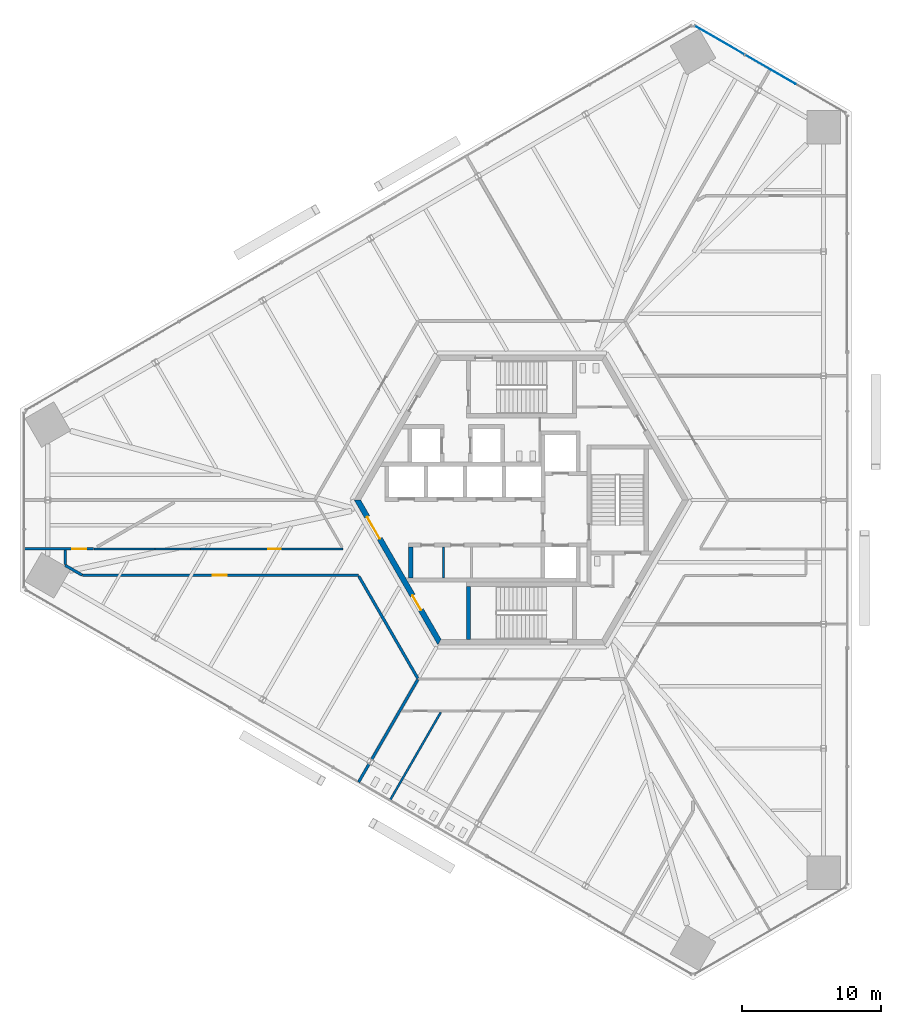
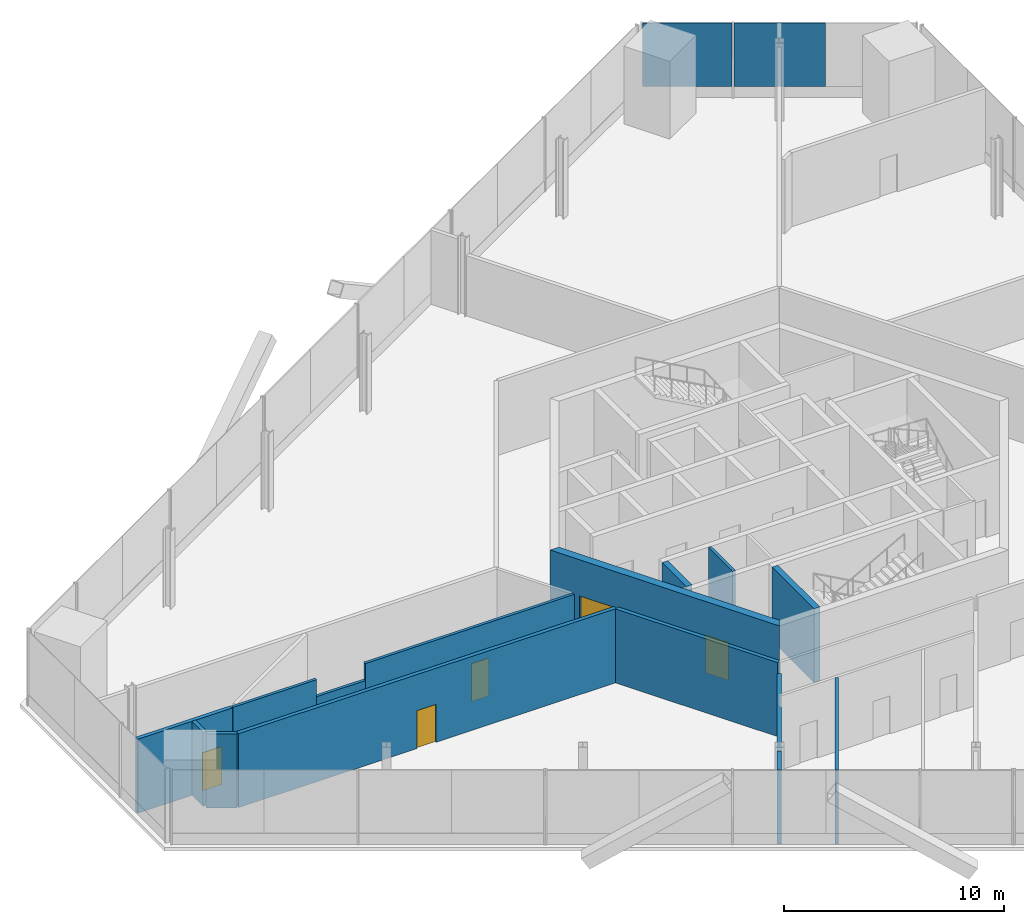
# One storey, part 9 of 15: 15 walls, 5 doors, 2 plates, 5 openings, 1 element without a shape of its own.
"""IFC4 building model written with IfcOpenShell, lengths in metres."""

from ifc_helpers import new_model, si_unit, direction, frame, frame_2d, origin, origin_2d, place, context, subcontext, project, spatial, polyline, rectangle, outline, extrude, source, transform, mapped, material, layer, layer_set, type_object, element, fill, aggregate, save


model = new_model("IFC4")

# Units and contexts
model_context = context("Model", 3, precision=1e-05, world=origin(), true_north=direction((0.0, 1.0)))
body_context = subcontext(model_context, "Body", "Model", "MODEL_VIEW")
ifc_project = project(units=[si_unit("LENGTHUNIT", "METRE"), si_unit("AREAUNIT", "SQUARE_METRE"), si_unit("VOLUMEUNIT", "CUBIC_METRE"), si_unit("PLANEANGLEUNIT", "RADIAN"), si_unit("MASSUNIT", "GRAM", prefix="KILO")], contexts=[model_context])

# Site, building, storey
site_placement = place(None, origin())
site = spatial("IfcSite", under=ifc_project, at=site_placement, CompositionType="ELEMENT")
building_placement = place(site_placement, origin())
building = spatial("IfcBuilding", under=site, at=building_placement, Name="Triune Harvest Tower", CompositionType="ELEMENT")
storey_placement = place(building_placement, frame((0.0, 0.0, 28.89990234375)))
storey = spatial("IfcBuildingStorey", under=building, at=storey_placement, Name="L06", CompositionType="ELEMENT", Elevation=28.89990234375)

# Curtain wall, plates
ifc_material_1 = material(Name="Aluminium bronze anodised", Category="aluminium")
curtain_wall_type = type_object("IfcCurtainWallType", Name="CW-3 Farm floor curtain wall", PredefinedType="NOTDEFINED", material=ifc_material_1)
curtain_wall_placement = place(storey_placement, origin())
curtain_wall = element("IfcCurtainWall", 1, at=curtain_wall_placement, inside=storey, type_object=curtain_wall_type, Name="CW-3 B1-F2 L06 run 1")
ifc_material_2 = material(Name="Glass", Category="glass")
ifc_layer_1 = layer(ifc_material_2, 0.035888671875)
ifc_layer_set_1 = layer_set([ifc_layer_1], Name="Glass")
plate_type = type_object("IfcPlateType", Name="GL-3 panel 36", PredefinedType="CURTAIN_PANEL", material=ifc_layer_set_1)
shared_shape_1 = source(origin(), body_context, "Body", "SweptSolid", [
    extrude(rectangle(XDim=4.157958984375, YDim=0.035888671875, at=origin_2d()), origin(), (0.0, 0.0, 1.0), 3.5),
])
plate_1_placement = place(storey_placement, frame((17.857666015625, 30.89013671875, 0.60009765625), z_axis=(0.0, 0.0, 1.0), x_axis=(-0.866026145592, 0.499998715149, 0.0)))
plate_1 = element("IfcPlate", 2, at=plate_1_placement, type_object=plate_type, Name="CW-3 panel B1-F2 1.2", PredefinedType="CURTAIN_PANEL", context=body_context, shape_type="MappedRepresentation", body=[
    mapped(shared_shape_1, transform((0.0, 0.0, 0.0), scale=1.0)),
])
shared_shape_2 = source(origin(), body_context, "Body", "SweptSolid", [
    extrude(rectangle(XDim=4.077880859375, YDim=0.035888671875, at=origin_2d()), origin(), (0.0, 0.0, 1.0), 3.5),
])
plate_2_placement = place(storey_placement, frame((14.22216796875, 32.989013671875, 0.60009765625), z_axis=(0.0, 0.0, 1.0), x_axis=(-0.866026145592, 0.499998715149, 0.0)))
plate_2 = element("IfcPlate", 3, at=plate_2_placement, type_object=plate_type, Name="CW-3 panel B1-F2 1.3", PredefinedType="CURTAIN_PANEL", context=body_context, shape_type="MappedRepresentation", body=[
    mapped(shared_shape_2, transform((0.0, 0.0, 0.0), scale=1.0)),
])
aggregate(curtain_wall, [plate_1, plate_2])

# Wall, openings, doors
ifc_material_3 = material(Name="Concrete 70 MPa", Category="concrete")
ifc_layer_2 = layer(ifc_material_3, 0.39990234375)
ifc_layer_set_2 = layer_set([ifc_layer_2], Name="Concrete 70 MPa")
wall_type_1 = type_object("IfcWallType", Name="Core wall 400", PredefinedType="SHEAR", material=ifc_layer_set_2)
shared_shape_3 = source(origin(), body_context, "Body", "SweptSolid", [
    extrude(outline(polyline([(-0.115478515625, -0.199951171875), (11.884521484375, -0.199951171875), (11.653564453125, 0.199951171875), (0.115478515625, 0.199951171875), (-0.115478515625, -0.199951171875)])), origin(), (0.0, 0.0, 1.0), 4.10009765625),
])
wall_1_placement = place(storey_placement, frame((-11.76904296875, 0.0, 0.0), z_axis=(0.0, 0.0, 1.0), x_axis=(0.499996592174, -0.866027371285, 0.0)))
wall_1 = element("IfcWall", 4, at=wall_1_placement, inside=storey, type_object=wall_type_1, Name="Hexagon 3 wall", PredefinedType="SHEAR", context=body_context, shape_type="MappedRepresentation", body=[
    mapped(shared_shape_3, transform((0.0, 0.0, 0.0), scale=1.0)),
])
opening_1_placement = place(wall_1_placement, frame((1.404541015625, 0.0, 0.0)))
opening_1 = element("IfcOpeningElement", 5, at=opening_1_placement, cuts=wall_1, Name="Opening CD-LS", PredefinedType="OPENING", context=body_context, shape_type="SweptSolid", body=[
    extrude(rectangle(XDim=1.800048828125, YDim=2.10009765625, at=frame_2d((0.89990234375, 1.050048828125))), frame((0.0, 0.2099609375, 0.0), z_axis=(0.0, -1.0, 0.0), x_axis=(1.0, 0.0, 0.0)), (0.0, 0.0, 1.0), 0.419921875),
])
opening_2_placement = place(wall_1_placement, frame((7.91455078125, 0.0, 0.0)))
opening_2 = element("IfcOpeningElement", 6, at=opening_2_placement, cuts=wall_1, Name="Opening CD-SWP", PredefinedType="OPENING", context=body_context, shape_type="SweptSolid", body=[
    extrude(rectangle(XDim=1.199951171875, YDim=2.10009765625, at=frame_2d((0.60009765625, 1.050048828125))), frame((0.0, 0.2099609375, 0.0), z_axis=(0.0, -1.0, 0.0), x_axis=(1.0, 0.0, 0.0)), (0.0, 0.0, 1.0), 0.419921875),
])
ifc_material_4 = material(Name="Steel S235", Category="steel")
door_type_1 = type_object("IfcDoorType", Name="Lobby door 1800 FD120", OperationType="DOUBLE_DOOR_DOUBLE_SWING", PredefinedType="DOOR", material=ifc_material_4)
door_1_placement = place(opening_1_placement, frame((1.800048828125, 0.0, 0.0), z_axis=(0.0, 0.0, 1.0), x_axis=(-1.0, 0.0, 0.0)))
door_1 = element("IfcDoor", 7, at=door_1_placement, inside=storey, type_object=door_type_1, Name="Door CD-LS", OperationType="DOUBLE_DOOR_DOUBLE_SWING", OverallHeight=2.10009765625, OverallWidth=1.800048828125, PredefinedType="DOOR", context=body_context, shape_type="SweptSolid", body=[
    extrude(rectangle(XDim=1.800048828125, YDim=2.10009765625, at=frame_2d((0.89990234375, 1.050048828125))), frame((0.0, 0.02490234375, 0.0), z_axis=(0.0, -1.0, 0.0), x_axis=(1.0, 0.0, 0.0)), (0.0, 0.0, 1.0), 0.050048828125),
])
fill(opening_1, door_1)
ifc_material_5 = material(Name="Steel S235", Category="steel")
door_type_2 = type_object("IfcDoorType", Name="Service door 1200 FD120", OperationType="SINGLE_SWING_LEFT", PredefinedType="DOOR", material=ifc_material_5)
door_2_placement = place(opening_2_placement, frame((1.199951171875, 0.0, 0.0), z_axis=(0.0, 0.0, 1.0), x_axis=(-1.0, 0.0, 0.0)))
door_2 = element("IfcDoor", 8, at=door_2_placement, inside=storey, type_object=door_type_2, Name="Door CD-SWP", OperationType="SINGLE_SWING_RIGHT", OverallHeight=2.10009765625, OverallWidth=1.199951171875, PredefinedType="DOOR", context=body_context, shape_type="SweptSolid", body=[
    extrude(rectangle(XDim=1.199951171875, YDim=2.10009765625, at=frame_2d((0.60009765625, 1.050048828125))), frame((0.0, 0.02490234375, 0.0), z_axis=(0.0, -1.0, 0.0), x_axis=(1.0, 0.0, 0.0)), (0.0, 0.0, 1.0), 0.050048828125),
])
fill(opening_2, door_2)

# Walls
ifc_material_6 = material(Name="Concrete 70 MPa", Category="concrete")
ifc_layer_3 = layer(ifc_material_6, 0.300048828125)
ifc_layer_set_3 = layer_set([ifc_layer_3], Name="Concrete 70 MPa")
wall_type_2 = type_object("IfcWallType", Name="Core wall 300", PredefinedType="SHEAR", material=ifc_layer_set_3)
shared_shape_4 = source(origin(), body_context, "Body", "SweptSolid", [
    extrude(rectangle(XDim=2.2001953125, YDim=0.300048828125, at=frame_2d((1.10009765625, 0.0))), origin(), (0.0, 0.0, 1.0), 4.10009765625),
])
wall_2_placement = place(storey_placement, frame((-7.949951171875, -5.590087890625, 0.0), z_axis=(0.0, 0.0, 1.0), x_axis=(0.0, 1.0, 0.0)))
element("IfcWall", 9, at=wall_2_placement, inside=storey, type_object=wall_type_2, Name="South end west wall", PredefinedType="SHEAR", context=body_context, shape_type="MappedRepresentation", body=[
    mapped(shared_shape_4, transform((0.0, 0.0, 0.0), scale=1.0)),
])
shared_shape_5 = source(origin(), body_context, "Body", "SweptSolid", [
    extrude(outline(polyline([(3.800048828125, -0.14990234375), (-0.00439453125, -0.14990234375), (-0.00439453125, 0.14990234375), (3.800048828125, 0.14990234375), (3.800048828125, -0.14990234375)])), origin(), (0.0, 0.0, 1.0), 4.10009765625),
])
wall_3_placement = place(storey_placement, frame((-3.800048828125, -9.989990234375, 0.0), z_axis=(0.0, 0.0, 1.0), x_axis=(0.0, 1.0, 0.0)))
element("IfcWall", 10, at=wall_3_placement, inside=storey, type_object=wall_type_2, Name="Stair s west wall", PredefinedType="SHEAR", context=body_context, shape_type="MappedRepresentation", body=[
    mapped(shared_shape_5, transform((0.0, 0.0, 0.0), scale=1.0)),
])
ifc_material_7 = material(Name="Concrete masonry unit", Category="masonry")
ifc_layer_4 = layer(ifc_material_7, 0.14990234375)
ifc_layer_set_4 = layer_set([ifc_layer_4], Name="Concrete masonry unit")
wall_type_3 = type_object("IfcWallType", Name="Block partition 150", PredefinedType="PARTITIONING", material=ifc_layer_set_4)
shared_shape_6 = source(origin(), body_context, "Body", "SweptSolid", [
    extrude(rectangle(XDim=2.2001953125, YDim=0.14990234375, at=frame_2d((1.10009765625, 0.0))), origin(), (0.0, 0.0, 1.0), 4.10009765625),
])
wall_4_placement = place(storey_placement, frame((-5.60009765625, -5.590087890625, 0.0), z_axis=(0.0, 0.0, 1.0), x_axis=(0.0, 1.0, 0.0)))
element("IfcWall", 11, at=wall_4_placement, inside=storey, type_object=wall_type_3, Name="Row s part 1 wall", PredefinedType="PARTITIONING", context=body_context, shape_type="MappedRepresentation", body=[
    mapped(shared_shape_6, transform((0.0, 0.0, 0.0), scale=1.0)),
])
ifc_material_8 = material(Name="Gypsum board on steel studs", Category="steel")
ifc_layer_5 = layer(ifc_material_8, 0.199951171875)
ifc_layer_set_5 = layer_set([ifc_layer_5], Name="Gypsum board on steel studs")
wall_type_4 = type_object("IfcWallType", Name="Fire Wall 200 mm", PredefinedType="PARTITIONING", material=ifc_layer_set_5)
shared_shape_7 = source(origin(), body_context, "Body", "SweptSolid", [
    extrude(rectangle(XDim=1.49853515625, YDim=0.199951171875, at=frame_2d((0.749267578125, 0.0))), origin(), (0.0, 0.0, 1.0), 4.10009765625),
])
wall_5_placement = place(storey_placement, frame((-11.685546875, -20.240234375, 0.0), z_axis=(0.0, 0.0, 1.0), x_axis=(0.499976292358, 0.866039090965, 0.0)))
element("IfcWall", 12, at=wall_5_placement, inside=storey, type_object=wall_type_4, Name="Partition L06 038", PredefinedType="PARTITIONING", context=body_context, shape_type="MappedRepresentation", body=[
    mapped(shared_shape_7, transform((0.0, 0.0, 0.0), scale=1.0)),
])
ifc_material_9 = material(Name="Gypsum board on steel studs", Category="steel")
ifc_layer_6 = layer(ifc_material_9, 0.14990234375)
ifc_layer_set_6 = layer_set([ifc_layer_6], Name="Gypsum board on steel studs")
wall_type_5 = type_object("IfcWallType", Name="Fire Partition 150 mm", PredefinedType="PARTITIONING", material=ifc_layer_set_6)
shared_shape_8 = source(origin(), body_context, "Body", "SweptSolid", [
    extrude(rectangle(XDim=2.552734375, YDim=0.14990234375, at=frame_2d((1.2763671875, 0.0))), origin(), (0.0, 0.0, 1.0), 3.15771484375),
])
wall_6_placement = place(storey_placement, frame((-26.294677734375, -3.5048828125, 0.0), z_axis=(0.0, 0.0, 1.0), x_axis=(1.0, 0.0, 0.0)))
element("IfcWall", 13, at=wall_6_placement, inside=storey, type_object=wall_type_5, Name="Partition L06 018a", PredefinedType="PARTITIONING", context=body_context, shape_type="MappedRepresentation", body=[
    mapped(shared_shape_8, transform((0.0, 0.0, 0.0), scale=1.0)),
])
shared_shape_9 = source(origin(), body_context, "Body", "SweptSolid", [
    extrude(rectangle(XDim=8.477783203125, YDim=0.199951171875, at=frame_2d((4.23876953125, 0.0))), origin(), (0.0, 0.0, 1.0), 4.10009765625),
])
wall_7_placement = place(storey_placement, frame((-11.67333984375, -5.465576171875, 0.0), z_axis=(0.0, 0.0, 1.0), x_axis=(0.499985860718, -0.866033566949, 0.0)))
element("IfcWall", 14, at=wall_7_placement, inside=storey, type_object=wall_type_4, Name="Partition L06 002", PredefinedType="PARTITIONING", context=body_context, shape_type="MappedRepresentation", body=[
    mapped(shared_shape_9, transform((0.0, 0.0, 0.0), scale=1.0)),
])
shared_shape_10 = source(origin(), body_context, "Body", "SweptSolid", [
    extrude(rectangle(XDim=1.4033203125, YDim=0.199951171875, at=frame_2d((0.70166015625, 0.0))), origin(), (0.0, 0.0, 1.0), 4.10009765625),
])
wall_8_placement = place(storey_placement, frame((-32.738525390625, -4.688232421875, 0.0), z_axis=(0.0, 0.0, 1.0), x_axis=(0.866029143232, -0.499993523031, 0.0)))
element("IfcWall", 15, at=wall_8_placement, inside=storey, type_object=wall_type_4, Name="Partition L06 009", PredefinedType="PARTITIONING", context=body_context, shape_type="MappedRepresentation", body=[
    mapped(shared_shape_10, transform((0.0, 0.0, 0.0), scale=1.0)),
])

# Wall, opening, door
shared_shape_11 = source(origin(), body_context, "Body", "SweptSolid", [
    extrude(rectangle(XDim=19.788818359375, YDim=0.199951171875, at=frame_2d((9.89453125, 0.0))), origin(), (0.0, 0.0, 1.0), 4.10009765625),
])
wall_9_placement = place(storey_placement, frame((-31.497314453125, -5.405029296875, 0.0), z_axis=(0.0, 0.0, 1.0), x_axis=(1.0, 0.0, 0.0)))
wall_9 = element("IfcWall", 16, at=wall_9_placement, inside=storey, type_object=wall_type_4, Name="Partition L06 015", PredefinedType="PARTITIONING", context=body_context, shape_type="MappedRepresentation", body=[
    mapped(shared_shape_11, transform((0.0, 0.0, 0.0), scale=1.0)),
])
opening_3_placement = place(wall_9_placement, frame((9.347900390625, 0.0, 0.0)))
opening_3 = element("IfcOpeningElement", 17, at=opening_3_placement, cuts=wall_9, Name="Opening L06-011", PredefinedType="OPENING", context=body_context, shape_type="SweptSolid", body=[
    extrude(rectangle(XDim=1.0, YDim=2.10009765625, at=frame_2d((0.5, 1.050048828125))), frame((0.0, 0.10986328125, 0.0), z_axis=(0.0, -1.0, 0.0), x_axis=(1.0, 0.0, 0.0)), (0.0, 0.0, 1.0), 0.219970703125),
])
ifc_material_10 = material(Name="Timber and steel door set", Category="steel")
door_type_3 = type_object("IfcDoorType", Name="Wide single leaf door FD60 right hand 1000 x 2100", OperationType="SINGLE_SWING_RIGHT", PredefinedType="DOOR", material=ifc_material_10)
door_3_placement = place(opening_3_placement, origin())
door_3 = element("IfcDoor", 18, at=door_3_placement, inside=storey, type_object=door_type_3, Name="Door L06-011 Propagation Room 06.11", OperationType="SINGLE_SWING_RIGHT", OverallHeight=2.10009765625, OverallWidth=1.0, PredefinedType="DOOR", context=body_context, shape_type="SweptSolid", body=[
    extrude(rectangle(XDim=1.0, YDim=2.10009765625, at=frame_2d((0.5, 1.050048828125))), frame((0.0, 0.02490234375, 0.0), z_axis=(0.0, -1.0, 0.0), x_axis=(1.0, 0.0, 0.0)), (0.0, 0.0, 1.0), 0.050048828125),
])
fill(opening_3, door_3)

shared_shape_12 = source(origin(), body_context, "Body", "SweptSolid", [
    extrude(rectangle(XDim=4.957275390625, YDim=0.199951171875, at=frame_2d((2.478515625, 0.0))), origin(), (0.0, 0.0, 1.0), 4.10009765625),
])
wall_10_placement = place(storey_placement, frame((-35.680419921875, -3.5048828125, 0.0), z_axis=(0.0, 0.0, 1.0), x_axis=(1.0, 0.0, 0.0)))
wall_10 = element("IfcWall", 19, at=wall_10_placement, inside=storey, type_object=wall_type_4, Name="Partition L06 017", PredefinedType="PARTITIONING", context=body_context, shape_type="MappedRepresentation", body=[
    mapped(shared_shape_12, transform((0.0, 0.0, 0.0), scale=1.0)),
])
opening_4_placement = place(wall_10_placement, frame((3.44140625, 0.0, 0.0)))
opening_4 = element("IfcOpeningElement", 20, at=opening_4_placement, cuts=wall_10, Name="Opening L06-009", PredefinedType="OPENING", context=body_context, shape_type="SweptSolid", body=[
    extrude(rectangle(XDim=1.0, YDim=2.10009765625, at=frame_2d((0.5, 1.050048828125))), frame((0.0, 0.10986328125, 0.0), z_axis=(0.0, -1.0, 0.0), x_axis=(1.0, 0.0, 0.0)), (0.0, 0.0, 1.0), 0.219970703125),
])
door_4_placement = place(opening_4_placement, origin())
door_4 = element("IfcDoor", 21, at=door_4_placement, inside=storey, type_object=door_type_3, Name="Door L06-009 Herb Growing Room 06.09", OperationType="SINGLE_SWING_RIGHT", OverallHeight=2.10009765625, OverallWidth=1.0, PredefinedType="DOOR", context=body_context, shape_type="SweptSolid", body=[
    extrude(rectangle(XDim=1.0, YDim=2.10009765625, at=frame_2d((0.5, 1.050048828125))), frame((0.0, 0.02490234375, 0.0), z_axis=(0.0, -1.0, 0.0), x_axis=(1.0, 0.0, 0.0)), (0.0, 0.0, 1.0), 0.050048828125),
])
fill(opening_4, door_4)

# Wall
shared_shape_13 = source(origin(), body_context, "Body", "SweptSolid", [
    extrude(rectangle(XDim=4.388427734375, YDim=0.14990234375, at=frame_2d((2.1943359375, 0.0))), origin(), (0.0, 0.0, 1.0), 4.10009765625),
])
wall_11_placement = place(storey_placement, frame((-30.68310546875, -3.5048828125, 0.0), z_axis=(0.0, 0.0, 1.0), x_axis=(1.0, 0.0, 0.0)))
element("IfcWall", 22, at=wall_11_placement, inside=storey, type_object=wall_type_5, Name="Partition L06 018", PredefinedType="PARTITIONING", context=body_context, shape_type="MappedRepresentation", body=[
    mapped(shared_shape_13, transform((0.0, 0.0, 0.0), scale=1.0)),
])

# Wall, opening, door
shared_shape_14 = source(origin(), body_context, "Body", "SweptSolid", [
    extrude(rectangle(XDim=10.9365234375, YDim=0.14990234375, at=frame_2d((5.46826171875, 0.0))), origin(), (0.0, 0.0, 1.0), 4.10009765625),
])
wall_12_placement = place(storey_placement, frame((-23.741943359375, -3.5048828125, 0.0), z_axis=(0.0, 0.0, 1.0), x_axis=(1.0, 0.0, 0.0)))
wall_12 = element("IfcWall", 23, at=wall_12_placement, inside=storey, type_object=wall_type_5, Name="Partition L06 018b", PredefinedType="PARTITIONING", context=body_context, shape_type="MappedRepresentation", body=[
    mapped(shared_shape_14, transform((0.0, 0.0, 0.0), scale=1.0)),
])
opening_5_placement = place(wall_12_placement, frame((5.58642578125, 0.0, 0.0)))
opening_5 = element("IfcOpeningElement", 24, at=opening_5_placement, cuts=wall_12, Name="Opening L06-010", PredefinedType="OPENING", context=body_context, shape_type="SweptSolid", body=[
    extrude(rectangle(XDim=0.89990234375, YDim=2.10009765625, at=frame_2d((0.449951171875, 1.050048828125))), frame((0.0, 0.0849609375, 0.0), z_axis=(0.0, -1.0, 0.0), x_axis=(1.0, 0.0, 0.0)), (0.0, 0.0, 1.0), 0.169921875),
])
ifc_material_11 = material(Name="Timber and steel door set", Category="steel")
door_type_4 = type_object("IfcDoorType", Name="Single leaf door FD30 right hand 900 x 2100", OperationType="SINGLE_SWING_RIGHT", PredefinedType="DOOR", material=ifc_material_11)
door_5_placement = place(opening_5_placement, origin())
door_5 = element("IfcDoor", 25, at=door_5_placement, inside=storey, type_object=door_type_4, Name="Door L06-010 Dry Store Room 06.10", OperationType="SINGLE_SWING_RIGHT", OverallHeight=2.10009765625, OverallWidth=0.89990234375, PredefinedType="DOOR", context=body_context, shape_type="SweptSolid", body=[
    extrude(rectangle(XDim=0.89990234375, YDim=2.10009765625, at=frame_2d((0.449951171875, 1.050048828125))), frame((0.0, 0.02490234375, 0.0), z_axis=(0.0, -1.0, 0.0), x_axis=(1.0, 0.0, 0.0)), (0.0, 0.0, 1.0), 0.050048828125),
])
fill(opening_5, door_5)

# Walls
shared_shape_15 = source(origin(), body_context, "Body", "SweptSolid", [
    extrude(rectangle(XDim=7.280029296875, YDim=0.14990234375, at=frame_2d((3.64013671875, 0.0))), origin(), (0.0, 0.0, 1.0), 4.10009765625),
])
wall_13_placement = place(storey_placement, frame((-9.430419921875, -21.542236328125, 0.0), z_axis=(0.0, 0.0, 1.0), x_axis=(0.499987591186, 0.866032567898, 0.0)))
element("IfcWall", 26, at=wall_13_placement, inside=storey, type_object=wall_type_5, Name="Partition L06 037", PredefinedType="PARTITIONING", context=body_context, shape_type="MappedRepresentation", body=[
    mapped(shared_shape_15, transform((0.0, 0.0, 0.0), scale=1.0)),
])
shared_shape_16 = source(origin(), body_context, "Body", "SweptSolid", [
    extrude(rectangle(XDim=6.6171875, YDim=0.199951171875, at=frame_2d((3.30859375, 0.0))), origin(), (0.0, 0.0, 1.0), 3.48779296875),
])
wall_14_placement = place(storey_placement, frame((-10.7431640625, -18.607666015625, 0.0), z_axis=(0.0, 0.0, 1.0), x_axis=(0.499996046679, 0.866027686223, 0.0)))
element("IfcWall", 27, at=wall_14_placement, inside=storey, type_object=wall_type_4, Name="Partition L06 039", PredefinedType="PARTITIONING", context=body_context, shape_type="MappedRepresentation", body=[
    mapped(shared_shape_16, transform((0.0, 0.0, 0.0), scale=1.0)),
])
shared_shape_17 = source(origin(), body_context, "Body", "SweptSolid", [
    extrude(rectangle(XDim=1.033447265625, YDim=0.199951171875, at=frame_2d((0.5166015625, 0.0))), origin(), (0.0, 0.0, 1.0), 4.10009765625),
])
wall_15_placement = place(storey_placement, frame((-32.738525390625, -4.618408203125, 0.0), z_axis=(0.0, 0.0, 1.0), x_axis=(0.0, 1.0, 0.0)))
element("IfcWall", 28, at=wall_15_placement, inside=storey, type_object=wall_type_4, Name="Partition L06 045", PredefinedType="PARTITIONING", context=body_context, shape_type="MappedRepresentation", body=[
    mapped(shared_shape_17, transform((0.0, 0.0, 0.0), scale=1.0)),
])

save(model, "model.ifc")
